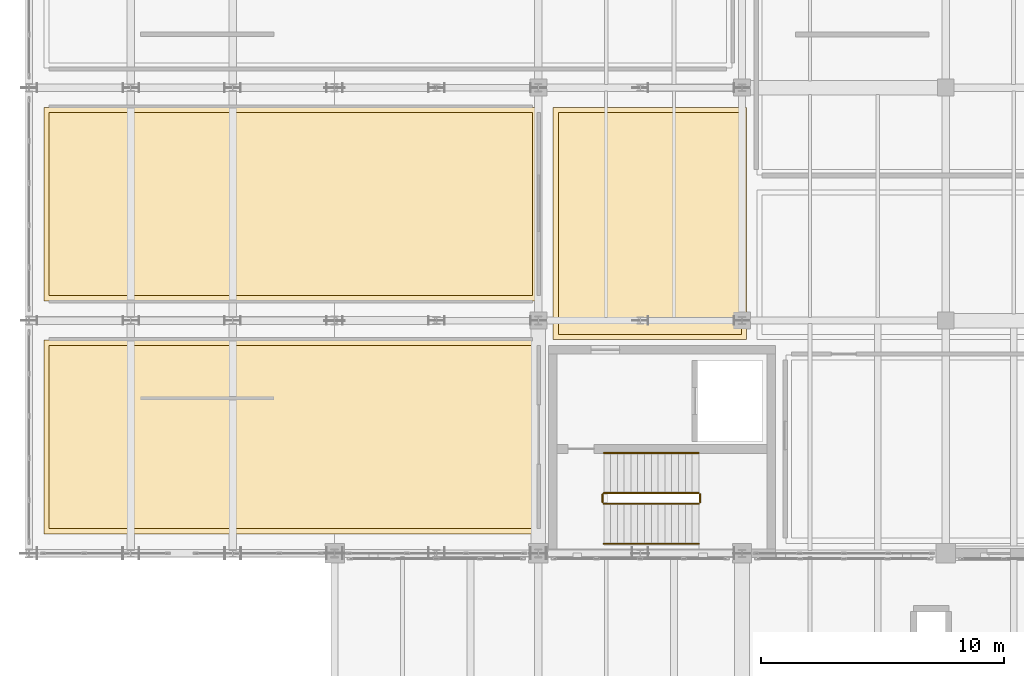
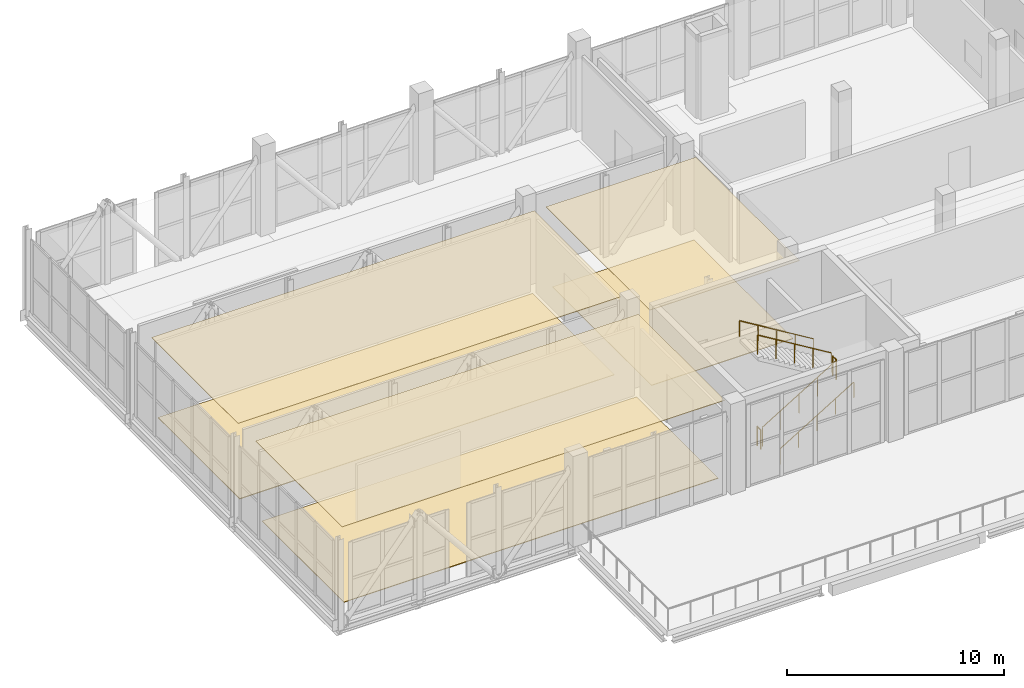
# One storey, part 69 of 77: 6 coverings, 6 railings.
"""IFC4 building model written with IfcOpenShell, lengths in metres."""

from ifc_helpers import new_model, si_unit, direction, frame, origin, origin_2d, place, context, subcontext, project, spatial, polyline, circle, outline, extrude, material, layer, layer_set, type_object, element, save


model = new_model("IFC4")

# Units and contexts
model_context = context("Model", 3, precision=1e-05, world=origin(), true_north=direction((0.0, 1.0)))
body_context = subcontext(model_context, "Body", "Model", "MODEL_VIEW")
ifc_project = project(units=[si_unit("LENGTHUNIT", "METRE"), si_unit("AREAUNIT", "SQUARE_METRE"), si_unit("VOLUMEUNIT", "CUBIC_METRE"), si_unit("PLANEANGLEUNIT", "RADIAN"), si_unit("MASSUNIT", "GRAM", prefix="KILO")], contexts=[model_context])

# Site, building, storey
site_placement = place(None, origin())
site = spatial("IfcSite", under=ifc_project, at=site_placement, CompositionType="ELEMENT")
building_placement = place(site_placement, origin())
building = spatial("IfcBuilding", under=site, at=building_placement, Name="Zulmaris Art Gallery", CompositionType="ELEMENT")
storey_placement = place(building_placement, frame((0.0, 0.0, 15.60009765625)))
storey = spatial("IfcBuildingStorey", under=building, at=storey_placement, Name="L03", CompositionType="ELEMENT", Elevation=15.60009765625)

# Coverings
ifc_material_1 = material(Name="Micro-Perforated Gypsum Acoustic Ceiling", Category="gypsum")
ifc_layer_1 = layer(ifc_material_1, 0.02490234375)
ifc_layer_set_1 = layer_set([ifc_layer_1], Name="Micro-Perforated Gypsum Acoustic Ceiling")
covering_type_1 = type_object("IfcCoveringType", Name="COV-CL01", PredefinedType="CEILING", material=ifc_layer_set_1)
covering_1_placement = place(storey_placement, frame((0.0, 0.0, 4.449951171875)))
element("IfcCovering", 1, at=covering_1_placement, inside=storey, type_object=covering_type_1, Name="L03 Cantilever Portal Concourse acoustic ceiling", PredefinedType="CEILING", context=body_context, shape_type="SweptSolid", body=[
    extrude(outline(polyline([(33.010009765625, 39.989990234375), (40.989990234375, 39.989990234375), (40.989990234375, 30.409912109375), (33.010009765625, 30.409912109375), (33.010009765625, 39.989990234375)])), origin(), (0.0, 0.0, 1.0), 0.030029296875),
])
ifc_material_2 = material(Name="Luminous UV-Diffusing Stretched Gallery Ceiling", Category="gypsum")
ifc_layer_2 = layer(ifc_material_2, 0.034912109375)
ifc_layer_set_2 = layer_set([ifc_layer_2], Name="Luminous UV-Diffusing Stretched Gallery Ceiling")
covering_type_2 = type_object("IfcCoveringType", Name="COV-CL02", PredefinedType="CEILING", material=ifc_layer_set_2)
covering_2_placement = place(storey_placement, frame((0.0, 0.0, 4.449951171875)))
element("IfcCovering", 2, at=covering_2_placement, inside=storey, type_object=covering_type_2, Name="Cantilever Horizon Belvedere Gallery acoustic ceiling", PredefinedType="CEILING", context=body_context, shape_type="SweptSolid", body=[
    extrude(outline(polyline([(12.010009765625, 39.989990234375), (32.389892578125, 39.989990234375), (32.389892578125, 32.010009765625), (12.010009765625, 32.010009765625), (12.010009765625, 39.989990234375)])), origin(), (0.0, 0.0, 1.0), 0.030029296875),
])
covering_3_placement = place(storey_placement, frame((0.0, 0.0, 4.449951171875)))
element("IfcCovering", 3, at=covering_3_placement, inside=storey, type_object=covering_type_2, Name="Cantilever South Sculpture Gallery acoustic ceiling", PredefinedType="CEILING", context=body_context, shape_type="SweptSolid", body=[
    extrude(outline(polyline([(12.010009765625, 30.389892578125), (32.389892578125, 30.389892578125), (32.389892578125, 22.409912109375), (12.010009765625, 22.409912109375), (12.010009765625, 30.389892578125)])), origin(), (0.0, 0.0, 1.0), 0.030029296875),
])
ifc_material_3 = material(Name="Honed Omani Limestone Terrazzo Flooring", Category="masonry")
ifc_layer_3 = layer(ifc_material_3, 0.0400390625)
ifc_layer_set_3 = layer_set([ifc_layer_3], Name="Honed Omani Limestone Terrazzo Flooring")
covering_type_3 = type_object("IfcCoveringType", Name="COV-FL01", PredefinedType="FLOORING", material=ifc_layer_set_3)
covering_4_placement = place(storey_placement, origin())
element("IfcCovering", 4, at=covering_4_placement, inside=storey, type_object=covering_type_3, Name="L03 Cantilever Portal Concourse finish flooring", PredefinedType="FLOORING", context=body_context, shape_type="SweptSolid", body=[
    extrude(outline(polyline([(40.77001953125, 30.6298828125), (33.22998046875, 30.6298828125), (33.22998046875, 39.77001953125), (40.77001953125, 39.77001953125), (40.77001953125, 30.6298828125)])), origin(), (0.0, 0.0, 1.0), 0.034912109375),
])
ifc_material_4 = material(Name="Oiled European Oak Gallery Parquet Flooring", Category="timber")
ifc_layer_4 = layer(ifc_material_4, 0.030029296875)
ifc_layer_set_4 = layer_set([ifc_layer_4], Name="Oiled European Oak Gallery Parquet Flooring")
covering_type_4 = type_object("IfcCoveringType", Name="COV-FL02", PredefinedType="FLOORING", material=ifc_layer_set_4)
covering_5_placement = place(storey_placement, origin())
element("IfcCovering", 5, at=covering_5_placement, inside=storey, type_object=covering_type_4, Name="Cantilever Horizon Belvedere Gallery finish flooring", PredefinedType="FLOORING", context=body_context, shape_type="SweptSolid", body=[
    extrude(outline(polyline([(32.169921875, 32.22998046875), (12.22998046875, 32.22998046875), (12.22998046875, 39.77001953125), (32.169921875, 39.77001953125), (32.169921875, 32.22998046875)])), origin(), (0.0, 0.0, 1.0), 0.034912109375),
])
covering_6_placement = place(storey_placement, origin())
element("IfcCovering", 6, at=covering_6_placement, inside=storey, type_object=covering_type_4, Name="Cantilever South Sculpture Gallery finish flooring", PredefinedType="FLOORING", context=body_context, shape_type="SweptSolid", body=[
    extrude(outline(polyline([(32.169921875, 22.6298828125), (12.22998046875, 22.6298828125), (12.22998046875, 30.169921875), (32.169921875, 30.169921875), (32.169921875, 22.6298828125)])), origin(), (0.0, 0.0, 1.0), 0.034912109375),
])

# Railings
ifc_material_5 = material(Name="Steel S355J2", Category="steel")
ifc_layer_5 = layer(ifc_material_5, 0.050048828125)
ifc_layer_set_5 = layer_set([ifc_layer_5], Name="Steel S355J2")
railing_type_1 = type_object("IfcRailingType", Name="RAIL-STGRD", PredefinedType="GUARDRAIL", material=ifc_layer_set_5)
railing_1_placement = place(storey_placement, frame((35.10009765625, 23.64990234375, 0.169921875)))
element("IfcRailing", 7, at=railing_1_placement, inside=storey, type_object=railing_type_1, Name="L03 ST1 stair guard 1", PredefinedType="GUARDRAIL", context=body_context, shape_type="SweptSolid", body=[
    extrude(circle(Radius=0.02392578125, at=origin_2d()), frame((0.0, 0.0, 1.076171875), z_axis=(0.854794262968, 0.0, 0.518967020143), x_axis=(0.0, 1.0, 0.0)), (0.0, 0.0, 1.0), 4.585693359375),
    extrude(circle(Radius=0.02099609375, at=origin_2d()), origin(), (0.0, 0.0, 1.0), 1.052001953125),
    extrude(circle(Radius=0.02099609375, at=origin_2d()), frame((0.97998046875, 0.0, 0.594970703125)), (0.0, 0.0, 1.0), 1.052001953125),
    extrude(circle(Radius=0.02099609375, at=origin_2d()), frame((1.9599609375, 0.0, 1.18994140625)), (0.0, 0.0, 1.0), 1.052001953125),
    extrude(circle(Radius=0.02099609375, at=origin_2d()), frame((2.93994140625, 0.0, 1.784912109375)), (0.0, 0.0, 1.0), 1.052001953125),
    extrude(circle(Radius=0.02099609375, at=origin_2d()), frame((3.919921875, 0.0, 2.3798828125)), (0.0, 0.0, 1.0), 1.052001953125),
])
railing_2_placement = place(storey_placement, frame((39.070068359375, 23.699951171875, 2.5498046875)))
element("IfcRailing", 8, at=railing_2_placement, inside=storey, type_object=railing_type_1, Name="L03 ST1 stair guard 2", PredefinedType="GUARDRAIL", context=body_context, shape_type="SweptSolid", body=[
    extrude(circle(Radius=0.02392578125, at=origin_2d()), frame((0.0, 0.0, 1.076171875), z_axis=(0.0, 1.0, 0.0), x_axis=(-1.0, 0.0, 0.0)), (0.0, 0.0, 1.0), 0.340087890625),
    extrude(circle(Radius=0.02099609375, at=origin_2d()), origin(), (0.0, 0.0, 1.0), 1.052001953125),
    extrude(circle(Radius=0.02099609375, at=origin_2d()), frame((0.0, 0.340087890625, 0.0)), (0.0, 0.0, 1.0), 1.052001953125),
])
railing_3_placement = place(storey_placement, frame((39.02001953125, 24.090087890625, 2.719970703125)))
element("IfcRailing", 9, at=railing_3_placement, inside=storey, type_object=railing_type_1, Name="L03 ST1 stair guard 3", PredefinedType="GUARDRAIL", context=body_context, shape_type="SweptSolid", body=[
    extrude(circle(Radius=0.02392578125, at=origin_2d()), frame((0.0, 0.0, 1.076171875), z_axis=(-0.854794262968, 0.0, 0.518967020143), x_axis=(0.0, -1.0, 0.0)), (0.0, 0.0, 1.0), 4.585693359375),
    extrude(circle(Radius=0.02099609375, at=origin_2d()), origin(), (0.0, 0.0, 1.0), 1.052001953125),
    extrude(circle(Radius=0.02099609375, at=origin_2d()), frame((-0.97998046875, 0.0, 0.594970703125)), (0.0, 0.0, 1.0), 1.052001953125),
    extrude(circle(Radius=0.02099609375, at=origin_2d()), frame((-1.9599609375, 0.0, 1.18994140625)), (0.0, 0.0, 1.0), 1.052001953125),
    extrude(circle(Radius=0.02099609375, at=origin_2d()), frame((-2.93994140625, 0.0, 1.784912109375)), (0.0, 0.0, 1.0), 1.052001953125),
    extrude(circle(Radius=0.02099609375, at=origin_2d()), frame((-3.919921875, 0.0, 2.3798828125)), (0.0, 0.0, 1.0), 1.052001953125),
])
railing_4_placement = place(storey_placement, frame((35.050048828125, 23.699951171875, 0.0)))
element("IfcRailing", 10, at=railing_4_placement, inside=storey, type_object=railing_type_1, Name="L03 ST1 stair guard 4", PredefinedType="GUARDRAIL", context=body_context, shape_type="SweptSolid", body=[
    extrude(circle(Radius=0.02392578125, at=origin_2d()), frame((0.0, 0.0, 1.076171875), z_axis=(0.0, 1.0, 0.0), x_axis=(-1.0, 0.0, 0.0)), (0.0, 0.0, 1.0), 0.340087890625),
    extrude(circle(Radius=0.02099609375, at=origin_2d()), origin(), (0.0, 0.0, 1.0), 1.052001953125),
    extrude(circle(Radius=0.02099609375, at=origin_2d()), frame((0.0, 0.340087890625, 0.0)), (0.0, 0.0, 1.0), 1.052001953125),
])
ifc_material_6 = material(Name="Brushed Bronze Handrail", Category="steel")
ifc_layer_6 = layer(ifc_material_6, 0.048095703125)
ifc_layer_set_6 = layer_set([ifc_layer_6], Name="Brushed Bronze Handrail")
railing_type_2 = type_object("IfcRailingType", Name="RAIL-STHND", PredefinedType="HANDRAIL", material=ifc_layer_set_6)
railing_5_placement = place(storey_placement, frame((35.10009765625, 22.0, 0.169921875)))
element("IfcRailing", 11, at=railing_5_placement, inside=storey, type_object=railing_type_2, Name="L03 ST1 stair handrail 1", PredefinedType="HANDRAIL", context=body_context, shape_type="SweptSolid", body=[
    extrude(circle(Radius=0.02392578125, at=origin_2d()), frame((0.0, 0.0, 0.8759765625), z_axis=(0.854794262968, 0.0, 0.518967020143), x_axis=(0.0, 1.0, 0.0)), (0.0, 0.0, 1.0), 4.585693359375),
    extrude(circle(Radius=0.02099609375, at=origin_2d()), origin(), (0.0, 0.0, 1.0), 0.851806640625),
    extrude(circle(Radius=0.02099609375, at=origin_2d()), frame((0.97998046875, 0.0, 0.594970703125)), (0.0, 0.0, 1.0), 0.851806640625),
    extrude(circle(Radius=0.02099609375, at=origin_2d()), frame((1.9599609375, 0.0, 1.18994140625)), (0.0, 0.0, 1.0), 0.851806640625),
    extrude(circle(Radius=0.02099609375, at=origin_2d()), frame((2.93994140625, 0.0, 1.784912109375)), (0.0, 0.0, 1.0), 0.851806640625),
    extrude(circle(Radius=0.02099609375, at=origin_2d()), frame((3.919921875, 0.0, 2.3798828125)), (0.0, 0.0, 1.0), 0.851806640625),
])
railing_6_placement = place(storey_placement, frame((39.02001953125, 25.739990234375, 2.719970703125)))
element("IfcRailing", 12, at=railing_6_placement, inside=storey, type_object=railing_type_2, Name="L03 ST1 stair handrail 2", PredefinedType="HANDRAIL", context=body_context, shape_type="SweptSolid", body=[
    extrude(circle(Radius=0.02392578125, at=origin_2d()), frame((0.0, 0.0, 0.8759765625), z_axis=(-0.854794262968, 0.0, 0.518967020143), x_axis=(0.0, -1.0, 0.0)), (0.0, 0.0, 1.0), 4.585693359375),
    extrude(circle(Radius=0.02099609375, at=origin_2d()), origin(), (0.0, 0.0, 1.0), 0.851806640625),
    extrude(circle(Radius=0.02099609375, at=origin_2d()), frame((-0.97998046875, 0.0, 0.594970703125)), (0.0, 0.0, 1.0), 0.851806640625),
    extrude(circle(Radius=0.02099609375, at=origin_2d()), frame((-1.9599609375, 0.0, 1.18994140625)), (0.0, 0.0, 1.0), 0.851806640625),
    extrude(circle(Radius=0.02099609375, at=origin_2d()), frame((-2.93994140625, 0.0, 1.784912109375)), (0.0, 0.0, 1.0), 0.851806640625),
    extrude(circle(Radius=0.02099609375, at=origin_2d()), frame((-3.919921875, 0.0, 2.3798828125)), (0.0, 0.0, 1.0), 0.851806640625),
])

save(model, "model.ifc")
